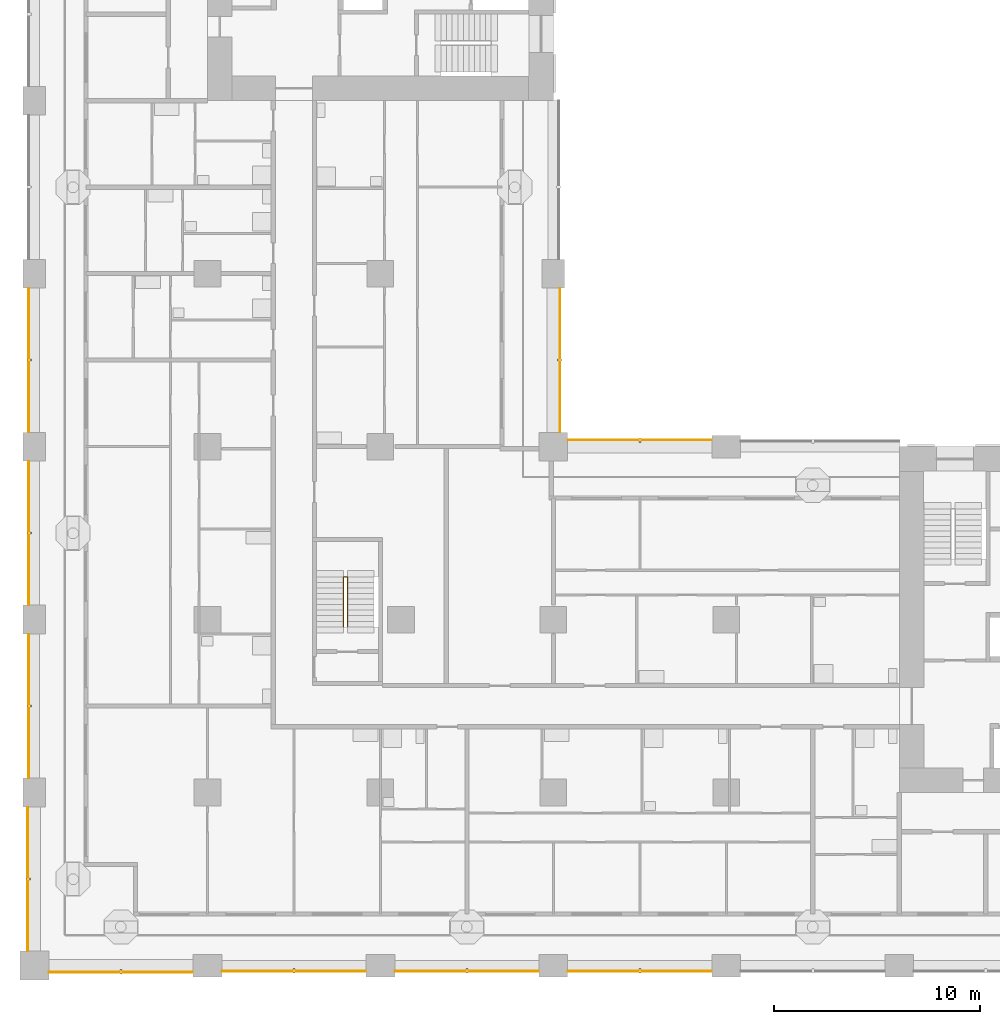
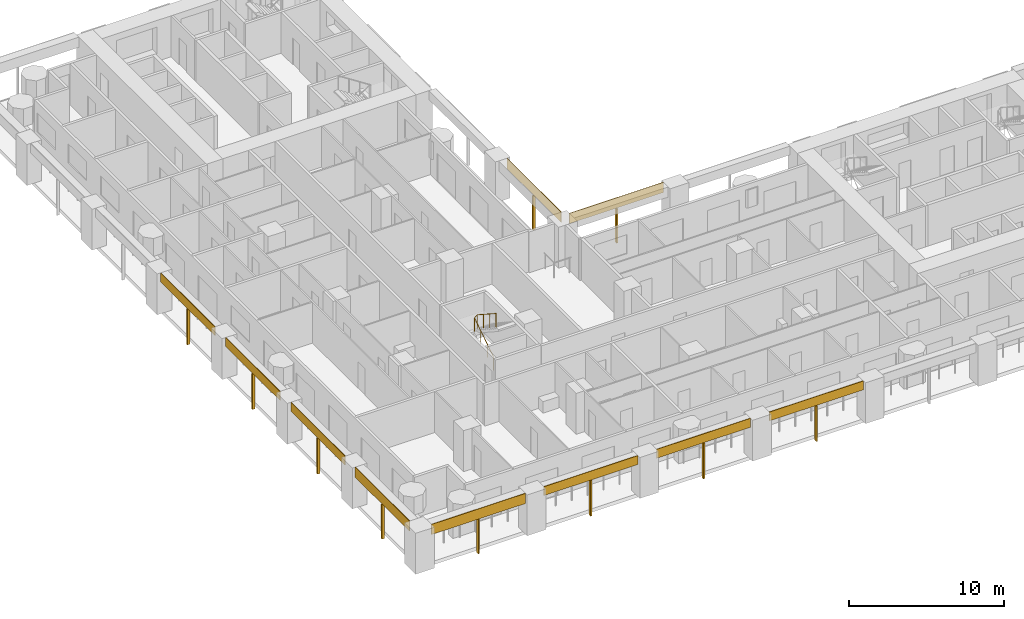
# One storey, part 13 of 23: 20 shading devices, 1 railing.
"""IFC4 building model written with IfcOpenShell, lengths in metres."""

from ifc_helpers import new_model, si_unit, direction, frame, origin, origin_2d, place, context, subcontext, project, spatial, rectangle, circle, extrude, material, layer, layer_set, material_profile, profile_set, type_object, element, save


model = new_model("IFC4")

# Units and contexts
model_context = context("Model", 3, precision=1e-05, world=origin(), true_north=direction((0.0, 1.0)))
body_context = subcontext(model_context, "Body", "Model", "MODEL_VIEW")
ifc_project = project(units=[si_unit("LENGTHUNIT", "METRE"), si_unit("AREAUNIT", "SQUARE_METRE"), si_unit("VOLUMEUNIT", "CUBIC_METRE"), si_unit("PLANEANGLEUNIT", "RADIAN"), si_unit("MASSUNIT", "GRAM", prefix="KILO")], contexts=[model_context])

# Site, building, storey
site_placement = place(None, origin())
site = spatial("IfcSite", under=ifc_project, at=site_placement, CompositionType="ELEMENT")
building_placement = place(site_placement, origin())
building = spatial("IfcBuilding", under=site, at=building_placement, Name="Vermilion Gate Residences", CompositionType="ELEMENT")
storey_placement = place(building_placement, frame((0.0, 0.0, 25.199951171875)))
storey = spatial("IfcBuildingStorey", under=building, at=storey_placement, Name="L04", CompositionType="ELEMENT", Elevation=25.199951171875)

# Shading devices
ifc_material_1 = material(Name="Perforated terracotta", Category="masonry")
ifc_layer = layer(ifc_material_1, 0.0400390625)
ifc_layer_set = layer_set([ifc_layer], Name="PERFORATED TERRACOTTA SCREEN 40")
shading_device_type_1 = type_object("IfcShadingDeviceType", Name="PERFORATED TERRACOTTA SCREEN 40", PredefinedType="SHUTTER", material=ifc_layer_set)
shading_device_1_placement = place(storey_placement, frame((4.199951171875, -0.320068359375, 2.419921875), z_axis=(0.0, 0.0, 1.0), x_axis=(1.0, 0.0, 0.0)))
element("IfcShadingDevice", 1, at=shading_device_1_placement, inside=storey, type_object=shading_device_type_1, Name="SCREEN", PredefinedType="SHUTTER", context=body_context, shape_type="SweptSolid", body=[
    extrude(rectangle(XDim=7.0, YDim=0.0400390625, at=origin_2d()), origin(), (0.0, 0.0, 1.0), 0.800048828125),
])
for number, where, z_axis, x_axis, name in (
    (2, (12.60009765625, -0.27001953125, 2.52001953125), (0.0, 0.0, 1.0), (1.0, 0.0, 0.0), "SCREEN"),
    (3, (21.0, -0.27001953125, 2.52001953125), (0.0, 0.0, 1.0), (1.0, 0.0, 0.0), "SCREEN"),
    (4, (29.39990234375, -0.27001953125, 2.52001953125), (0.0, 0.0, 1.0), (1.0, 0.0, 0.0), "SCREEN"),
):
    element("IfcShadingDevice", number, at=place(storey_placement, frame(where, z_axis=z_axis, x_axis=x_axis)), inside=storey, type_object=shading_device_type_1, Name=name, PredefinedType="SHUTTER", context=body_context, shape_type="SweptSolid", body=[
        extrude(rectangle(XDim=7.0, YDim=0.0400390625, at=origin_2d()), origin(), (0.0, 0.0, 1.0), 0.699951171875),
    ])
for number, where, z_axis, x_axis, name in (
    (5, (29.39990234375, 25.52001953125, 2.419921875), (0.0, 0.0, 1.0), (-1.0, 0.0, 0.0), "SCREEN"),
    (6, (25.52001953125, 29.39990234375, 2.419921875), (0.0, 0.0, 1.0), (0.0, 1.0, 0.0), "SCREEN"),
    (7, (-0.320068359375, 4.199951171875, 2.419921875), (0.0, 0.0, 1.0), (0.0, -1.0, 0.0), "SCREEN"),
):
    element("IfcShadingDevice", number, at=place(storey_placement, frame(where, z_axis=z_axis, x_axis=x_axis)), inside=storey, type_object=shading_device_type_1, Name=name, PredefinedType="SHUTTER", context=body_context, shape_type="SweptSolid", body=[
        extrude(rectangle(XDim=7.0, YDim=0.0400390625, at=origin_2d()), origin(), (0.0, 0.0, 1.0), 0.800048828125),
    ])
for number, where, z_axis, x_axis, name in (
    (8, (-0.27001953125, 12.60009765625, 2.52001953125), (0.0, 0.0, 1.0), (0.0, -1.0, 0.0), "SCREEN"),
    (9, (-0.27001953125, 21.0, 2.52001953125), (0.0, 0.0, 1.0), (0.0, -1.0, 0.0), "SCREEN"),
    (10, (-0.27001953125, 29.39990234375, 2.52001953125), (0.0, 0.0, 1.0), (0.0, -1.0, 0.0), "SCREEN"),
):
    element("IfcShadingDevice", number, at=place(storey_placement, frame(where, z_axis=z_axis, x_axis=x_axis)), inside=storey, type_object=shading_device_type_1, Name=name, PredefinedType="SHUTTER", context=body_context, shape_type="SweptSolid", body=[
        extrude(rectangle(XDim=7.0, YDim=0.0400390625, at=origin_2d()), origin(), (0.0, 0.0, 1.0), 0.699951171875),
    ])

# Railing
ifc_material_2 = material(Name="Steel S355", Category="steel")
railing_type = type_object("IfcRailingType", Name="STAIR GUARD 1100 STEEL", PredefinedType="GUARDRAIL", material=ifc_material_2)
railing_placement = place(storey_placement, frame((15.0, 16.449951171875, 0.175048828125)))
element("IfcRailing", 11, at=railing_placement, inside=storey, type_object=railing_type, Name="Stair well guard STC1-04", PredefinedType="GUARDRAIL", context=body_context, shape_type="SweptSolid", body=[
    extrude(circle(Radius=0.02392578125, at=origin_2d()), frame((0.0, 0.0, 1.076171875), z_axis=(0.0, 0.839153699163, 0.543894354798), x_axis=(-1.0, 0.0, 0.0)), (0.0, 0.0, 1.0), 2.895751953125),
    extrude(circle(Radius=0.02392578125, at=origin_2d()), frame((0.0, 2.429931640625, 2.65087890625), z_axis=(0.752405939678, 0.0, 0.658699705433), x_axis=(0.0, 1.0, 0.0)), (0.0, 0.0, 1.0), 0.265869140625),
    extrude(circle(Radius=0.02392578125, at=origin_2d()), frame((0.199951171875, 2.429931640625, 2.826171875), z_axis=(0.0, -0.839153699163, 0.543894354798), x_axis=(1.0, 0.0, 0.0)), (0.0, 0.0, 1.0), 2.895751953125),
    extrude(circle(Radius=0.02099609375, at=origin_2d()), origin(), (0.0, 0.0, 1.0), 1.052001953125),
    extrude(circle(Radius=0.02099609375, at=origin_2d()), frame((0.0, 0.81005859375, 0.52490234375)), (0.0, 0.0, 1.0), 1.052001953125),
    extrude(circle(Radius=0.02099609375, at=origin_2d()), frame((0.0, 1.619873046875, 1.050048828125)), (0.0, 0.0, 1.0), 1.052001953125),
    extrude(circle(Radius=0.02099609375, at=origin_2d()), frame((0.0, 2.429931640625, 1.574951171875)), (0.0, 0.0, 1.0), 1.052001953125),
    extrude(circle(Radius=0.02099609375, at=origin_2d()), frame((0.199951171875, 2.429931640625, 1.75)), (0.0, 0.0, 1.0), 1.052001953125),
    extrude(circle(Radius=0.02099609375, at=origin_2d()), frame((0.199951171875, 1.619873046875, 2.27490234375)), (0.0, 0.0, 1.0), 1.052001953125),
    extrude(circle(Radius=0.02099609375, at=origin_2d()), frame((0.199951171875, 0.81005859375, 2.800048828125)), (0.0, 0.0, 1.0), 1.052001953125),
    extrude(circle(Radius=0.02099609375, at=origin_2d()), frame((0.199951171875, 0.0, 3.324951171875)), (0.0, 0.0, 1.0), 1.052001953125),
])

# Shading devices
ifc_material_3 = material(Name="Extruded terracotta", Category="masonry")
ifc_material_profile = material_profile(ifc_material_3, rectangle(XDim=0.199951171875, YDim=0.10009765625, at=origin_2d()), Name="BAGUETTE 100 X 200")
ifc_profile_set = profile_set([ifc_material_profile], Name="Extruded terracotta")
shading_device_type_2 = type_object("IfcShadingDeviceType", Name="TERRACOTTA BAGUETTE 100 X 200", PredefinedType="JALOUSIE", material=ifc_profile_set)
shading_device_2_placement = place(storey_placement, frame((4.199951171875, -0.300048828125, -0.280029296875), z_axis=(0.0, 0.0, 1.0), x_axis=(0.0, 1.0, 0.0)))
element("IfcShadingDevice", 12, at=shading_device_2_placement, inside=storey, type_object=shading_device_type_2, Name="BAGUETTE", PredefinedType="JALOUSIE", context=body_context, shape_type="SweptSolid", body=[
    extrude(rectangle(XDim=0.199951171875, YDim=0.10009765625, at=origin_2d()), origin(), (0.0, 0.0, 1.0), 2.7001953125),
])
for number, where, z_axis, x_axis, name in (
    (13, (12.60009765625, -0.25, -0.280029296875), (0.0, 0.0, 1.0), (0.0, 1.0, 0.0), "BAGUETTE"),
    (14, (21.0, -0.25, -0.280029296875), (0.0, 0.0, 1.0), (0.0, 1.0, 0.0), "BAGUETTE"),
    (15, (29.39990234375, -0.25, -0.280029296875), (0.0, 0.0, 1.0), (0.0, 1.0, 0.0), "BAGUETTE"),
):
    element("IfcShadingDevice", number, at=place(storey_placement, frame(where, z_axis=z_axis, x_axis=x_axis)), inside=storey, type_object=shading_device_type_2, Name=name, PredefinedType="JALOUSIE", context=body_context, shape_type="SweptSolid", body=[
        extrude(rectangle(XDim=0.199951171875, YDim=0.10009765625, at=origin_2d()), origin(), (0.0, 0.0, 1.0), 2.800048828125),
    ])
for number, where, z_axis, x_axis, name in (
    (16, (29.39990234375, 25.5, -0.280029296875), (0.0, 0.0, 1.0), (0.0, -1.0, 0.0), "BAGUETTE"),
    (17, (25.5, 29.39990234375, -0.280029296875), (0.0, 0.0, 1.0), (-1.0, 0.0, 0.0), "BAGUETTE"),
    (18, (-0.300048828125, 4.199951171875, -0.280029296875), (0.0, 0.0, 1.0), (1.0, 0.0, 0.0), "BAGUETTE"),
):
    element("IfcShadingDevice", number, at=place(storey_placement, frame(where, z_axis=z_axis, x_axis=x_axis)), inside=storey, type_object=shading_device_type_2, Name=name, PredefinedType="JALOUSIE", context=body_context, shape_type="SweptSolid", body=[
        extrude(rectangle(XDim=0.199951171875, YDim=0.10009765625, at=origin_2d()), origin(), (0.0, 0.0, 1.0), 2.7001953125),
    ])
for number, where, z_axis, x_axis, name in (
    (19, (-0.25, 12.60009765625, -0.280029296875), (0.0, 0.0, 1.0), (1.0, 0.0, 0.0), "BAGUETTE"),
    (20, (-0.25, 21.0, -0.280029296875), (0.0, 0.0, 1.0), (1.0, 0.0, 0.0), "BAGUETTE"),
    (21, (-0.25, 29.39990234375, -0.280029296875), (0.0, 0.0, 1.0), (1.0, 0.0, 0.0), "BAGUETTE"),
):
    element("IfcShadingDevice", number, at=place(storey_placement, frame(where, z_axis=z_axis, x_axis=x_axis)), inside=storey, type_object=shading_device_type_2, Name=name, PredefinedType="JALOUSIE", context=body_context, shape_type="SweptSolid", body=[
        extrude(rectangle(XDim=0.199951171875, YDim=0.10009765625, at=origin_2d()), origin(), (0.0, 0.0, 1.0), 2.800048828125),
    ])

save(model, "model.ifc")
